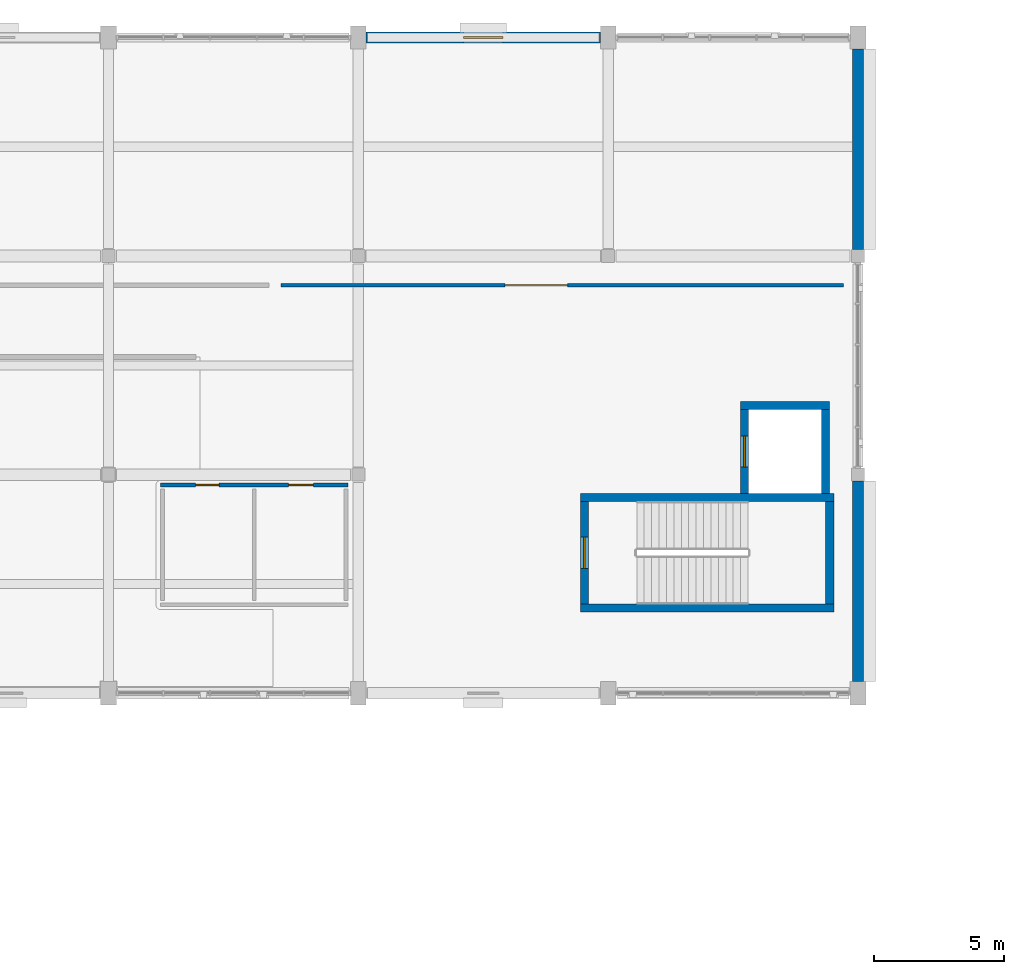
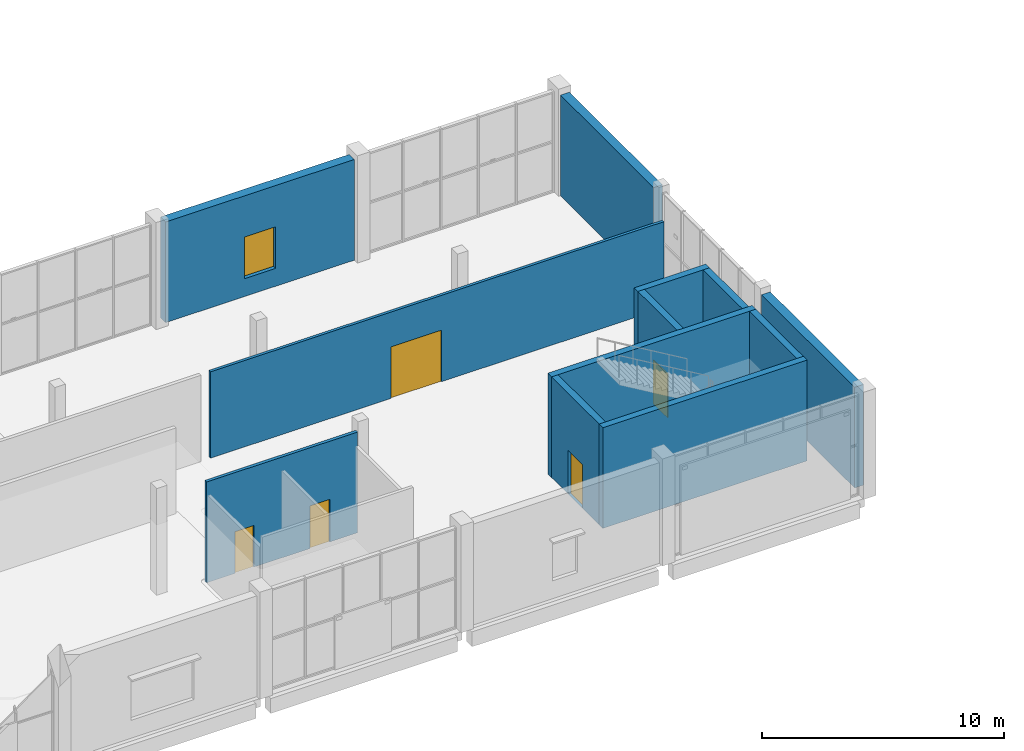
# One storey, part 58 of 83: 12 walls, 5 doors, 1 window, 6 openings.
"""IFC4 building model written with IfcOpenShell, lengths in metres."""

from ifc_helpers import new_model, si_unit, direction, frame, frame_2d, origin, place, context, subcontext, project, spatial, rectangle, extrude, material, layer, layer_set, type_object, element, fill, save


model = new_model("IFC4")

# Units and contexts
model_context = context("Model", 3, precision=1e-05, world=origin(), true_north=direction((0.0, 1.0)))
body_context = subcontext(model_context, "Body", "Model", "MODEL_VIEW")
ifc_project = project(units=[si_unit("LENGTHUNIT", "METRE"), si_unit("AREAUNIT", "SQUARE_METRE"), si_unit("VOLUMEUNIT", "CUBIC_METRE"), si_unit("PLANEANGLEUNIT", "RADIAN"), si_unit("MASSUNIT", "GRAM", prefix="KILO")], contexts=[model_context])

# Site, building, storey
site_placement = place(None, origin())
site = spatial("IfcSite", under=ifc_project, at=site_placement, CompositionType="ELEMENT")
building_placement = place(site_placement, origin())
building = spatial("IfcBuilding", under=site, at=building_placement, Name="Shalvenor Court Art Gallery", CompositionType="ELEMENT")
storey_placement = place(building_placement, frame((0.0, 0.0, 6.0)))
storey = spatial("IfcBuildingStorey", under=building, at=storey_placement, Name="L01", CompositionType="ELEMENT", Elevation=6.0)

# Walls
ifc_material_1 = material(Name="Concrete C40/50", Category="concrete")
ifc_layer_1 = layer(ifc_material_1, 0.31005859375, Name="Concrete C40/50")
ifc_layer_set_1 = layer_set([ifc_layer_1], Name="Concrete C40/50")
wall_type_1 = type_object("IfcWallType", Name="CW-W2", PredefinedType="SHEAR", material=ifc_layer_set_1)
wall_1_placement = place(storey_placement, frame((114.1279296875, 104.717041015625, 0.0), z_axis=(0.0, 0.0, 1.0), x_axis=(1.0, 0.0, 0.0)))
element("IfcWall", 1, at=wall_1_placement, inside=storey, type_object=wall_type_1, Name="L01 C5 Stair Core Shear Wall N", PredefinedType="SHEAR", context=body_context, shape_type="SweptSolid", body=[
    extrude(rectangle(XDim=9.744140625, YDim=0.31005859375, at=frame_2d((4.8720703125, 0.0))), origin(), (0.0, 0.0, 1.0), 5.080078125),
])
wall_2_placement = place(storey_placement, frame((123.717041015625, 104.56201171875, 0.0), z_axis=(0.0, 0.0, 1.0), x_axis=(0.0, -1.0, 0.0)))
element("IfcWall", 2, at=wall_2_placement, inside=storey, type_object=wall_type_1, Name="L01 C5 Stair Core Shear Wall E", PredefinedType="SHEAR", context=body_context, shape_type="SweptSolid", body=[
    extrude(rectangle(XDim=3.924072265625, YDim=0.31005859375, at=frame_2d((1.9619140625, 0.0))), origin(), (0.0, 0.0, 1.0), 5.080078125),
])
wall_3_placement = place(storey_placement, frame((123.8720703125, 100.48291015625, 0.0), z_axis=(0.0, 0.0, 1.0), x_axis=(-1.0, 0.0, 0.0)))
element("IfcWall", 3, at=wall_3_placement, inside=storey, type_object=wall_type_1, Name="L01 C5 Stair Core Shear Wall S", PredefinedType="SHEAR", context=body_context, shape_type="SweptSolid", body=[
    extrude(rectangle(XDim=9.744140625, YDim=0.31005859375, at=frame_2d((4.8720703125, 0.0))), origin(), (0.0, 0.0, 1.0), 5.080078125),
])

# Wall, opening, door
wall_4_placement = place(storey_placement, frame((114.282958984375, 100.637939453125, 0.0), z_axis=(0.0, 0.0, 1.0), x_axis=(0.0, 1.0, 0.0)))
wall_4 = element("IfcWall", 4, at=wall_4_placement, inside=storey, type_object=wall_type_1, Name="L01 C5 Stair Core Shear Wall W", PredefinedType="SHEAR", context=body_context, shape_type="SweptSolid", body=[
    extrude(rectangle(XDim=3.924072265625, YDim=0.31005859375, at=frame_2d((1.9619140625, 0.0))), origin(), (0.0, 0.0, 1.0), 5.080078125),
])
opening_1_placement = place(wall_4_placement, frame((1.362060546875, 0.0, 0.0)))
opening_1 = element("IfcOpeningElement", 5, at=opening_1_placement, cuts=wall_4, Name="Opening FD-01", PredefinedType="OPENING", context=body_context, shape_type="SweptSolid", body=[
    extrude(rectangle(XDim=1.199951171875, YDim=2.199951171875, at=frame_2d((0.60009765625, 1.10009765625))), frame((0.0, 0.1650390625, 0.0), z_axis=(0.0, -1.0, 0.0), x_axis=(1.0, 0.0, 0.0)), (0.0, 0.0, 1.0), 0.330078125),
])
ifc_material_2 = material(Name="Fire-rated steel stair doorset", Category="steel")
door_type_1 = type_object("IfcDoorType", Name="FD-01", OperationType="NOTDEFINED", PredefinedType="DOOR", material=ifc_material_2)
door_1_placement = place(opening_1_placement, origin())
door_1 = element("IfcDoor", 6, at=door_1_placement, inside=storey, type_object=door_type_1, Name="DR-ST-L01-C5 L01 ST-05 Fire Stair Door", OperationType="SINGLE_SWING_RIGHT", OverallHeight=2.199951171875, OverallWidth=1.199951171875, PredefinedType="DOOR", context=body_context, shape_type="SweptSolid", body=[
    extrude(rectangle(XDim=1.199951171875, YDim=2.199951171875, at=frame_2d((0.60009765625, 1.10009765625))), frame((0.0, 0.02490234375, 0.0), z_axis=(0.0, -1.0, 0.0), x_axis=(1.0, 0.0, 0.0)), (0.0, 0.0, 1.0), 0.050048828125),
])
fill(opening_1, door_1)

# Walls
wall_5_placement = place(storey_placement, frame((120.2900390625, 108.2548828125, 0.0), z_axis=(0.0, 0.0, 1.0), x_axis=(1.0, 0.0, 0.0)))
element("IfcWall", 7, at=wall_5_placement, inside=storey, type_object=wall_type_1, Name="L01 PL-03 Lift Shaft Wall N", PredefinedType="SHEAR", context=body_context, shape_type="SweptSolid", body=[
    extrude(rectangle(XDim=3.419921875, YDim=0.31005859375, at=frame_2d((1.7099609375, 0.0))), origin(), (0.0, 0.0, 1.0), 5.080078125),
])
wall_6_placement = place(storey_placement, frame((123.554931640625, 108.10009765625, 0.0), z_axis=(0.0, 0.0, 1.0), x_axis=(0.0, -1.0, 0.0)))
element("IfcWall", 8, at=wall_6_placement, inside=storey, type_object=wall_type_1, Name="L01 PL-03 Lift Shaft Wall E", PredefinedType="SHEAR", context=body_context, shape_type="SweptSolid", body=[
    extrude(rectangle(XDim=3.22802734375, YDim=0.31005859375, at=frame_2d((1.614013671875, 0.0))), origin(), (0.0, 0.0, 1.0), 5.080078125),
])

# Wall, opening, door
wall_7_placement = place(storey_placement, frame((120.445068359375, 104.8720703125, 0.0), z_axis=(0.0, 0.0, 1.0), x_axis=(0.0, 1.0, 0.0)))
wall_7 = element("IfcWall", 9, at=wall_7_placement, inside=storey, type_object=wall_type_1, Name="L01 PL-03 Lift Shaft Wall W", PredefinedType="SHEAR", context=body_context, shape_type="SweptSolid", body=[
    extrude(rectangle(XDim=3.22802734375, YDim=0.31005859375, at=frame_2d((1.614013671875, 0.0))), origin(), (0.0, 0.0, 1.0), 5.080078125),
])
opening_2_placement = place(wall_7_placement, frame((1.013916015625, 0.0, 0.0)))
opening_2 = element("IfcOpeningElement", 10, at=opening_2_placement, cuts=wall_7, Name="Opening LD-02", PredefinedType="OPENING", context=body_context, shape_type="SweptSolid", body=[
    extrude(rectangle(XDim=1.199951171875, YDim=2.199951171875, at=frame_2d((0.60009765625, 1.10009765625))), frame((0.0, 0.1650390625, 0.0), z_axis=(0.0, -1.0, 0.0), x_axis=(1.0, 0.0, 0.0)), (0.0, 0.0, 1.0), 0.330078125),
])
ifc_material_3 = material(Name="Brushed stainless passenger lift sliding landing door", Category="steel")
door_type_2 = type_object("IfcDoorType", Name="LD-02", OperationType="NOTDEFINED", PredefinedType="DOOR", material=ifc_material_3)
door_2_placement = place(opening_2_placement, origin())
door_2 = element("IfcDoor", 11, at=door_2_placement, inside=storey, type_object=door_type_2, Name="DR-LD-L01-PL-03 L01 PL-03 Lift Landing Sliding Door", OperationType="DOUBLE_DOOR_SLIDING", OverallHeight=2.199951171875, OverallWidth=1.199951171875, PredefinedType="DOOR", context=body_context, shape_type="SweptSolid", body=[
    extrude(rectangle(XDim=1.199951171875, YDim=2.199951171875, at=frame_2d((0.60009765625, 1.10009765625))), frame((0.0, 0.02490234375, 0.0), z_axis=(0.0, -1.0, 0.0), x_axis=(1.0, 0.0, 0.0)), (0.0, 0.0, 1.0), 0.050048828125),
])
fill(opening_2, door_2)

# Wall, opening, window
ifc_material_4 = material(Name="Concrete C40/50", Category="concrete")
ifc_layer_2 = layer(ifc_material_4, 0.419921875, Name="Concrete C40/50")
ifc_layer_set_2 = layer_set([ifc_layer_2], Name="Concrete C40/50")
wall_type_2 = type_object("IfcWallType", Name="EW-02", PredefinedType="SOLIDWALL", material=ifc_layer_set_2)
wall_8_placement = place(storey_placement, frame((105.89990234375, 122.39990234375, 0.0), z_axis=(0.0, 0.0, 1.0), x_axis=(1.0, 0.0, 0.0)))
wall_8 = element("IfcWall", 12, at=wall_8_placement, inside=storey, type_object=wall_type_2, Name="L01 V2 Exterior Wall WL-L01-0134", PredefinedType="SOLIDWALL", context=body_context, shape_type="SweptSolid", body=[
    extrude(rectangle(XDim=9.0, YDim=0.419921875, at=frame_2d((4.5, 0.0))), origin(), (0.0, 0.0, 1.0), 5.080078125),
])
opening_3_placement = place(wall_8_placement, frame((3.75, 0.0, 0.89990234375)))
opening_3 = element("IfcOpeningElement", 13, at=opening_3_placement, cuts=wall_8, Name="Opening WN-07", PredefinedType="OPENING", context=body_context, shape_type="SweptSolid", body=[
    extrude(rectangle(XDim=1.5, YDim=2.10009765625, at=frame_2d((0.75, 1.050048828125))), frame((0.0, 0.219970703125, 0.0), z_axis=(0.0, -1.0, 0.0), x_axis=(1.0, 0.0, 0.0)), (0.0, 0.0, 1.0), 0.43994140625),
])
ifc_material_5 = material(Name="Low-iron solar-control double IGU", Category="glass")
window_type = type_object("IfcWindowType", Name="WN-07", PartitioningType="SINGLE_PANEL", PredefinedType="WINDOW", material=ifc_material_5)
window_placement = place(opening_3_placement, origin())
window = element("IfcWindow", 14, at=window_placement, inside=storey, type_object=window_type, Name="L01 Window WIN-L01-0029", OverallHeight=2.10009765625, OverallWidth=1.5, PartitioningType="SINGLE_PANEL", PredefinedType="WINDOW", context=body_context, shape_type="SweptSolid", body=[
    extrude(rectangle(XDim=1.5, YDim=2.10009765625, at=frame_2d((0.75, 1.050048828125))), frame((0.0, 0.030029296875, 0.0), z_axis=(0.0, -1.0, 0.0), x_axis=(1.0, 0.0, 0.0)), (0.0, 0.0, 1.0), 0.06005859375),
])
fill(opening_3, window)

# Walls
wall_9_placement = place(storey_placement, frame((124.800048828125, 121.949951171875, 0.0), z_axis=(0.0, 0.0, 1.0), x_axis=(0.0, -1.0, 0.0)))
element("IfcWall", 15, at=wall_9_placement, inside=storey, type_object=wall_type_2, Name="L01 V2 Exterior Wall WL-L01-0135", PredefinedType="SOLIDWALL", context=body_context, shape_type="SweptSolid", body=[
    extrude(rectangle(XDim=7.699951171875, YDim=0.419921875, at=frame_2d((3.85009765625, 0.0))), origin(), (0.0, 0.0, 1.0), 5.080078125),
])
wall_10_placement = place(storey_placement, frame((124.800048828125, 105.35009765625, 0.0), z_axis=(0.0, 0.0, 1.0), x_axis=(0.0, -1.0, 0.0)))
element("IfcWall", 16, at=wall_10_placement, inside=storey, type_object=wall_type_2, Name="L01 V2 Exterior Wall WL-L01-0136", PredefinedType="SOLIDWALL", context=body_context, shape_type="SweptSolid", body=[
    extrude(rectangle(XDim=7.7001953125, YDim=0.419921875, at=frame_2d((3.85009765625, 0.0))), origin(), (0.0, 0.0, 1.0), 5.080078125),
])

# Wall, openings, doors
ifc_material_6 = material(Name="Moisture-resistant sanitary partition", Category="other")
ifc_layer_3 = layer(ifc_material_6, 0.14990234375, Name="Moisture-resistant sanitary partition")
ifc_layer_set_3 = layer_set([ifc_layer_3], Name="Moisture-resistant sanitary partition")
wall_type_3 = type_object("IfcWallType", Name="PT-03", PredefinedType="PARTITIONING", material=ifc_layer_set_3)
wall_11_placement = place(storey_placement, frame((98.0, 105.199951171875, 0.0), z_axis=(0.0, 0.0, 1.0), x_axis=(1.0, 0.0, 0.0)))
wall_11 = element("IfcWall", 17, at=wall_11_placement, inside=storey, type_object=wall_type_3, Name="L01 C5 Restroom Front Partition", PredefinedType="PARTITIONING", context=body_context, shape_type="SweptSolid", body=[
    extrude(rectangle(XDim=7.199951171875, YDim=0.14990234375, at=frame_2d((3.60009765625, 0.0))), origin(), (0.0, 0.0, 1.0), 5.080078125),
])
opening_4_placement = place(wall_11_placement, frame((1.35009765625, 0.0, 0.0)))
opening_4 = element("IfcOpeningElement", 18, at=opening_4_placement, cuts=wall_11, Name="Opening ID-07", PredefinedType="OPENING", context=body_context, shape_type="SweptSolid", body=[
    extrude(rectangle(XDim=0.89990234375, YDim=2.10009765625, at=frame_2d((0.449951171875, 1.050048828125))), frame((0.0, 0.0849609375, 0.0), z_axis=(0.0, -1.0, 0.0), x_axis=(1.0, 0.0, 0.0)), (0.0, 0.0, 1.0), 0.169921875),
])
opening_5_placement = place(wall_11_placement, frame((4.925048828125, 0.0, 0.0)))
opening_5 = element("IfcOpeningElement", 19, at=opening_5_placement, cuts=wall_11, Name="Opening ID-06", PredefinedType="OPENING", context=body_context, shape_type="SweptSolid", body=[
    extrude(rectangle(XDim=0.949951171875, YDim=2.14990234375, at=frame_2d((0.47509765625, 1.074951171875))), frame((0.0, 0.0849609375, 0.0), z_axis=(0.0, -1.0, 0.0), x_axis=(1.0, 0.0, 0.0)), (0.0, 0.0, 1.0), 0.169921875),
])
ifc_material_7 = material(Name="Accessible restroom doorset", Category="steel")
door_type_3 = type_object("IfcDoorType", Name="ID-06", OperationType="NOTDEFINED", PredefinedType="DOOR", material=ifc_material_7)
door_3_placement = place(opening_5_placement, origin())
door_3 = element("IfcDoor", 20, at=door_3_placement, inside=storey, type_object=door_type_3, Name="DR-AWC-L01-C5-2 L01 C5 Accessible Restroom Door", OperationType="SINGLE_SWING_RIGHT", OverallHeight=2.14990234375, OverallWidth=0.949951171875, PredefinedType="DOOR", context=body_context, shape_type="SweptSolid", body=[
    extrude(rectangle(XDim=0.949951171875, YDim=2.14990234375, at=frame_2d((0.47509765625, 1.074951171875))), frame((0.0, 0.02490234375, 0.0), z_axis=(0.0, -1.0, 0.0), x_axis=(1.0, 0.0, 0.0)), (0.0, 0.0, 1.0), 0.050048828125),
])
fill(opening_5, door_3)
ifc_material_8 = material(Name="Restroom timber doorset", Category="wood")
door_type_4 = type_object("IfcDoorType", Name="ID-07", OperationType="NOTDEFINED", PredefinedType="DOOR", material=ifc_material_8)
door_4_placement = place(opening_4_placement, origin())
door_4 = element("IfcDoor", 21, at=door_4_placement, inside=storey, type_object=door_type_4, Name="DR-WC-L01-C5-1 L01 C5 Public Restroom Door", OperationType="SINGLE_SWING_LEFT", OverallHeight=2.10009765625, OverallWidth=0.89990234375, PredefinedType="DOOR", context=body_context, shape_type="SweptSolid", body=[
    extrude(rectangle(XDim=0.89990234375, YDim=2.10009765625, at=frame_2d((0.449951171875, 1.050048828125))), frame((0.0, 0.02490234375, 0.0), z_axis=(0.0, -1.0, 0.0), x_axis=(1.0, 0.0, 0.0)), (0.0, 0.0, 1.0), 0.050048828125),
])
fill(opening_4, door_4)

# Wall, opening, door
ifc_material_9 = material(Name="Insulated studio acoustic partition", Category="other")
ifc_layer_4 = layer(ifc_material_9, 0.135009765625, Name="Insulated studio acoustic partition")
ifc_layer_set_4 = layer_set([ifc_layer_4], Name="Insulated studio acoustic partition")
wall_type_4 = type_object("IfcWallType", Name="PT-04", PredefinedType="PARTITIONING", material=ifc_layer_set_4)
wall_12_placement = place(storey_placement, frame((124.25, 112.8798828125, 0.0), z_axis=(0.0, 0.0, 1.0), x_axis=(-1.0, 0.0, 0.0)))
wall_12 = element("IfcWall", 22, at=wall_12_placement, inside=storey, type_object=wall_type_4, Name="L01 New Media Installation Studio Partition 627", PredefinedType="PARTITIONING", context=body_context, shape_type="SweptSolid", body=[
    extrude(rectangle(XDim=21.6201171875, YDim=0.135009765625, at=frame_2d((10.81005859375, 0.0))), origin(), (0.0, 0.0, 1.0), 4.35498046875),
])
opening_6_placement = place(wall_12_placement, frame((10.610107421875, 0.0, 0.0)))
opening_6 = element("IfcOpeningElement", 23, at=opening_6_placement, cuts=wall_12, Name="Opening ID-08", PredefinedType="OPENING", context=body_context, shape_type="SweptSolid", body=[
    extrude(rectangle(XDim=2.39990234375, YDim=2.60009765625, at=frame_2d((1.199951171875, 1.300048828125))), frame((0.0, 0.077392578125, 0.0), z_axis=(0.0, -1.0, 0.0), x_axis=(1.0, 0.0, 0.0)), (0.0, 0.0, 1.0), 0.155029296875),
])
ifc_material_10 = material(Name="Oversized crate gallery portal double doorset", Category="steel")
door_type_5 = type_object("IfcDoorType", Name="ID-08", OperationType="NOTDEFINED", PredefinedType="DOOR", material=ifc_material_10)
door_5_placement = place(opening_6_placement, origin())
door_5 = element("IfcDoor", 24, at=door_5_placement, inside=storey, type_object=door_type_5, Name="DR-RM-L01-0158 L01 New Media Installation Studio Door", OperationType="DOUBLE_DOOR_SINGLE_SWING", OverallHeight=2.60009765625, OverallWidth=2.39990234375, PredefinedType="DOOR", context=body_context, shape_type="SweptSolid", body=[
    extrude(rectangle(XDim=2.39990234375, YDim=2.60009765625, at=frame_2d((1.199951171875, 1.300048828125))), frame((0.0, 0.02490234375, 0.0), z_axis=(0.0, -1.0, 0.0), x_axis=(1.0, 0.0, 0.0)), (0.0, 0.0, 1.0), 0.050048828125),
])
fill(opening_6, door_5)

save(model, "model.ifc")
